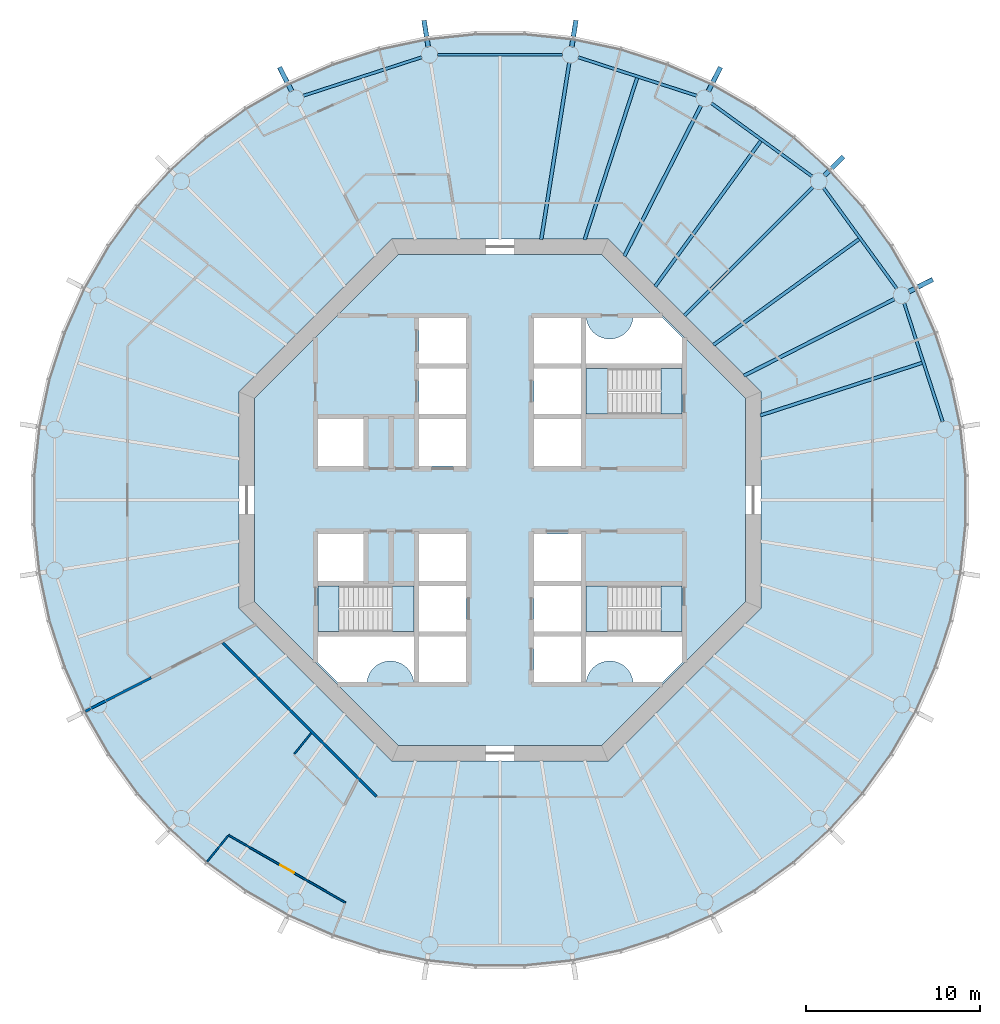
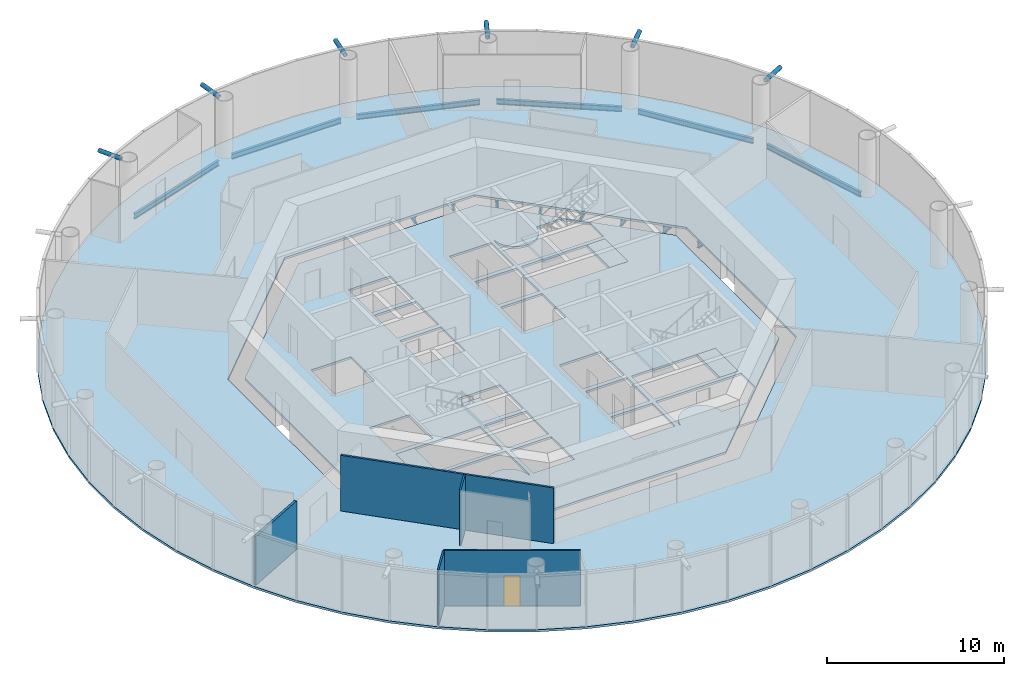
# One storey, part 2 of 12: 14 beams, 8 slabs, 6 members, 5 walls, 1 door, 1 opening, 3 elements without a shape of their own.
"""IFC4 building model written with IfcOpenShell, lengths in metres."""

from ifc_helpers import new_model, si_unit, direction, frame, frame_2d, origin, origin_2d, place, context, subcontext, project, spatial, polyline, rectangle, circle, hollow_circle, i_section, outline, extrude, material, layer, layer_set, material_profile, profile_set, type_object, element, fill, aggregate, save


model = new_model("IFC4")

# Units and contexts
model_context = context("Model", 3, precision=1e-05, world=origin(), true_north=direction((0.0, 1.0)))
body_context = subcontext(model_context, "Body", "Model", "MODEL_VIEW")
ifc_project = project(units=[si_unit("LENGTHUNIT", "METRE"), si_unit("AREAUNIT", "SQUARE_METRE"), si_unit("VOLUMEUNIT", "CUBIC_METRE"), si_unit("PLANEANGLEUNIT", "RADIAN"), si_unit("MASSUNIT", "GRAM", prefix="KILO")], contexts=[model_context])

# Site, building, storey
site_placement = place(None, origin())
site = spatial("IfcSite", under=ifc_project, at=site_placement, CompositionType="ELEMENT")
building_placement = place(site_placement, origin())
building = spatial("IfcBuilding", under=site, at=building_placement, Name="Entoto Ring Tower", CompositionType="ELEMENT")
storey_placement = place(building_placement, frame((0.0, 0.0, 214.0)))
storey = spatial("IfcBuildingStorey", under=building, at=storey_placement, Name="L49", CompositionType="ELEMENT", Elevation=214.0)

# Members
ifc_material_1 = material(Name="Steel S355", Category="steel")
ifc_material_profile_1 = material_profile(ifc_material_1, hollow_circle(Radius=0.136474609375, WallThickness=0.012451171875, at=origin_2d()), Name="CHS 273 x 12.5")
ifc_material_2 = material(Name="Concrete C60/75", Category="concrete")
ifc_material_profile_2 = material_profile(ifc_material_2, circle(Radius=0.1240234375, at=origin_2d()), Name="Concrete C60/75 infill")
ifc_profile_set_1 = profile_set([ifc_material_profile_1, ifc_material_profile_2], Name="Steel S355")
member_type = type_object("IfcMemberType", Name="Diagrid node strut 273 x 12.5", PredefinedType="STRUT", material=ifc_profile_set_1)
member_1_placement = place(storey_placement, frame((113.48779296875, 91.967529296875, 3.71337890625), z_axis=(0.891006809714, 0.453989939363, 0.0), x_axis=(-0.453989939363, 0.891006809714, 0.0)))
element("IfcMember", 1, at=member_1_placement, inside=storey, type_object=member_type, Name="DS2 strut ring 15 01", PredefinedType="STRUT", context=body_context, shape_type="SweptSolid", body=[
    extrude(hollow_circle(Radius=0.136474609375, WallThickness=0.012451171875, at=origin_2d()), origin(), (0.0, 0.0, 1.0), 1.5390625),
])
member_2_placement = place(storey_placement, frame((108.639892578125, 98.639892578125, 3.71337890625), z_axis=(0.707106781187, 0.707106781187, 0.0), x_axis=(-0.707106781187, 0.707106781187, 0.0)))
element("IfcMember", 2, at=member_2_placement, inside=storey, type_object=member_type, Name="DS2 strut ring 15 02", PredefinedType="STRUT", context=body_context, shape_type="SweptSolid", body=[
    extrude(hollow_circle(Radius=0.136474609375, WallThickness=0.012451171875, at=origin_2d()), origin(), (0.0, 0.0, 1.0), 1.539306640625),
])
for number, where, z_axis, x_axis, name in (
    (3, (101.967529296875, 103.48779296875, 3.71337890625), (0.453989939363, 0.891006809714, 0.0), (-0.891006809714, 0.453989939363, 0.0), "DS2 strut ring 15 03"),
    (4, (94.123779296875, 106.036376953125, 3.71337890625), (0.156418753192, 0.987690828979, 0.0), (-0.987690828979, 0.156418753192, 0.0), "DS2 strut ring 15 04"),
    (5, (85.876220703125, 106.036376953125, 3.71337890625), (-0.156418753192, 0.987690828979, 0.0), (-0.987690828979, -0.156418753192, 0.0), "DS2 strut ring 15 05"),
    (6, (78.032470703125, 103.48779296875, 3.71337890625), (-0.453989939363, 0.891006809714, 0.0), (-0.891006809714, -0.453989939363, 0.0), "DS2 strut ring 15 06"),
):
    element("IfcMember", number, at=place(storey_placement, frame(where, z_axis=z_axis, x_axis=x_axis)), inside=storey, type_object=member_type, Name=name, PredefinedType="STRUT", context=body_context, shape_type="SweptSolid", body=[
        extrude(hollow_circle(Radius=0.136474609375, WallThickness=0.012451171875, at=origin_2d()), origin(), (0.0, 0.0, 1.0), 1.5390625),
    ])

# Beams
ifc_material_3 = material(Name="Steel S355", Category="steel")
ifc_material_profile_3 = material_profile(ifc_material_3, i_section(OverallWidth=0.169921875, OverallDepth=0.360107421875, WebThickness=0.008056640625, FlangeThickness=0.0126953125, FilletRadius=0.01806640625, at=origin_2d()), Name="IPE 360")
ifc_profile_set_2 = profile_set([ifc_material_profile_3], Name="Steel S355")
beam_type_1 = type_object("IfcBeamType", Name="Edge beam IPE 360", PredefinedType="SPANDREL", material=ifc_profile_set_2)
beam_1_placement = place(storey_placement, frame((115.43505859375, 84.501220703125, -0.330078125), z_axis=(-0.309015118354, 0.951057125849, 0.0), x_axis=(-0.951057125849, -0.309015118354, 0.0)))
element("IfcBeam", 7, at=beam_1_placement, inside=storey, type_object=beam_type_1, Name="Edge beam L49 01", PredefinedType="SPANDREL", context=body_context, shape_type="SweptSolid", body=[
    extrude(i_section(OverallWidth=0.169921875, OverallDepth=0.360107421875, WebThickness=0.008056640625, FlangeThickness=0.0126953125, FilletRadius=0.01806640625, at=origin_2d()), origin(), (0.0, 0.0, 1.0), 7.157958984375),
])
for number, where, z_axis, x_axis, name in (
    (8, (112.79931640625, 92.140625, -0.330078125), (-0.587794432314, 0.809010324619, 0.0), (-0.809010324619, -0.587794432314, 0.0), "Edge beam L49 02"),
    (9, (107.931640625, 98.591796875, -0.330078125), (-0.809010324619, 0.587794432314, 0.0), (-0.587794432314, -0.809010324619, 0.0), "Edge beam L49 03"),
):
    element("IfcBeam", number, at=place(storey_placement, frame(where, z_axis=z_axis, x_axis=x_axis)), inside=storey, type_object=beam_type_1, Name=name, PredefinedType="SPANDREL", context=body_context, shape_type="SweptSolid", body=[
        extrude(i_section(OverallWidth=0.169921875, OverallDepth=0.360107421875, WebThickness=0.008056640625, FlangeThickness=0.0126953125, FilletRadius=0.01806640625, at=origin_2d()), origin(), (0.0, 0.0, 1.0), 7.158203125),
    ])
beam_2_placement = place(storey_placement, frame((101.308837890625, 103.22314453125, -0.330078125), z_axis=(-0.951057125849, 0.309015118354, 0.0), x_axis=(-0.309015118354, -0.951057125849, 0.0)))
element("IfcBeam", 10, at=beam_2_placement, inside=storey, type_object=beam_type_1, Name="Edge beam L49 04", PredefinedType="SPANDREL", context=body_context, shape_type="SweptSolid", body=[
    extrude(i_section(OverallWidth=0.169921875, OverallDepth=0.360107421875, WebThickness=0.008056640625, FlangeThickness=0.0126953125, FilletRadius=0.01806640625, at=origin_2d()), origin(), (0.0, 0.0, 1.0), 7.157958984375),
])
beam_3_placement = place(storey_placement, frame((93.5791015625, 105.5810546875, -0.330078125), z_axis=(-1.0, 0.0, 0.0), x_axis=(0.0, -1.0, 0.0)))
element("IfcBeam", 11, at=beam_3_placement, inside=storey, type_object=beam_type_1, Name="Edge beam L49 05", PredefinedType="SPANDREL", context=body_context, shape_type="SweptSolid", body=[
    extrude(i_section(OverallWidth=0.169921875, OverallDepth=0.360107421875, WebThickness=0.008056640625, FlangeThickness=0.0126953125, FilletRadius=0.01806640625, at=origin_2d()), origin(), (0.0, 0.0, 1.0), 7.158203125),
])
beam_4_placement = place(storey_placement, frame((85.498779296875, 105.43505859375, -0.330078125), z_axis=(-0.951057125849, -0.309015118354, 0.0), x_axis=(0.309015118354, -0.951057125849, 0.0)))
element("IfcBeam", 12, at=beam_4_placement, inside=storey, type_object=beam_type_1, Name="Edge beam L49 06", PredefinedType="SPANDREL", context=body_context, shape_type="SweptSolid", body=[
    extrude(i_section(OverallWidth=0.169921875, OverallDepth=0.360107421875, WebThickness=0.008056640625, FlangeThickness=0.0126953125, FilletRadius=0.01806640625, at=origin_2d()), origin(), (0.0, 0.0, 1.0), 7.157958984375),
])
ifc_material_4 = material(Name="Steel S355", Category="steel")
ifc_material_profile_4 = material_profile(ifc_material_4, i_section(OverallWidth=0.199951171875, OverallDepth=0.5, WebThickness=0.01025390625, FlangeThickness=0.01611328125, FilletRadius=0.02099609375, at=origin_2d()), Name="IPE 500")
ifc_profile_set_3 = profile_set([ifc_material_profile_4], Name="Steel S355")
beam_type_2 = type_object("IfcBeamType", Name="Primary floor beam IPE 500", PredefinedType="BEAM", material=ifc_profile_set_3)
beam_5_placement = place(storey_placement, frame((104.006103515625, 87.136474609375, -0.39990234375), z_axis=(0.891012442297, 0.45397888461, 0.0), x_axis=(-0.45397888461, 0.891012442297, 0.0)))
element("IfcBeam", 13, at=beam_5_placement, inside=storey, type_object=beam_type_2, Name="Primary L49 R02", PredefinedType="BEAM", context=body_context, shape_type="SweptSolid", body=[
    extrude(i_section(OverallWidth=0.199951171875, OverallDepth=0.5, WebThickness=0.01025390625, FlangeThickness=0.01611328125, FilletRadius=0.02099609375, at=origin_2d()), origin(), (0.0, 0.0, 1.0), 9.710693359375),
])
beam_6_placement = place(storey_placement, frame((100.592529296875, 90.592529296875, -0.39990234375), z_axis=(0.707106781187, 0.707106781187, 0.0), x_axis=(-0.707106781187, 0.707106781187, 0.0)))
element("IfcBeam", 14, at=beam_6_placement, inside=storey, type_object=beam_type_2, Name="Primary L49 R03", PredefinedType="BEAM", context=body_context, shape_type="SweptSolid", body=[
    extrude(i_section(OverallWidth=0.199951171875, OverallDepth=0.5, WebThickness=0.01025390625, FlangeThickness=0.01611328125, FilletRadius=0.02099609375, at=origin_2d()), origin(), (0.0, 0.0, 1.0), 10.4501953125),
])
beam_7_placement = place(storey_placement, frame((97.136474609375, 94.006103515625, -0.39990234375), z_axis=(0.45397888461, 0.891012442297, 0.0), x_axis=(-0.891012442297, 0.45397888461, 0.0)))
element("IfcBeam", 15, at=beam_7_placement, inside=storey, type_object=beam_type_2, Name="Primary L49 R04", PredefinedType="BEAM", context=body_context, shape_type="SweptSolid", body=[
    extrude(i_section(OverallWidth=0.199951171875, OverallDepth=0.5, WebThickness=0.01025390625, FlangeThickness=0.01611328125, FilletRadius=0.02099609375, at=origin_2d()), origin(), (0.0, 0.0, 1.0), 9.710693359375),
])
beam_8_placement = place(storey_placement, frame((92.3701171875, 94.964599609375, -0.39990234375), z_axis=(0.156451644281, 0.987685619518, 0.0), x_axis=(-0.987685619518, 0.156451644281, 0.0)))
element("IfcBeam", 16, at=beam_8_placement, inside=storey, type_object=beam_type_2, Name="Primary L49 R05", PredefinedType="BEAM", context=body_context, shape_type="SweptSolid", body=[
    extrude(i_section(OverallWidth=0.199951171875, OverallDepth=0.5, WebThickness=0.01025390625, FlangeThickness=0.01611328125, FilletRadius=0.02099609375, at=origin_2d()), origin(), (0.0, 0.0, 1.0), 10.27880859375),
])
ifc_material_5 = material(Name="Steel S355", Category="steel")
ifc_material_profile_5 = material_profile(ifc_material_5, i_section(OverallWidth=0.18994140625, OverallDepth=0.449951171875, WebThickness=0.009521484375, FlangeThickness=0.0146484375, FilletRadius=0.02099609375, at=origin_2d()), Name="IPE 450")
ifc_profile_set_4 = profile_set([ifc_material_profile_5], Name="Steel S355")
beam_type_3 = type_object("IfcBeamType", Name="Secondary floor beam IPE 450", PredefinedType="JOIST", material=ifc_profile_set_4)
beam_9_placement = place(storey_placement, frame((104.95166015625, 84.858154296875, -0.375), z_axis=(0.951061045963, 0.309003053144, 0.0), x_axis=(-0.309003053144, 0.951061045963, 0.0)))
element("IfcBeam", 17, at=beam_9_placement, inside=storey, type_object=beam_type_3, Name="Secondary beam L49 01", PredefinedType="JOIST", context=body_context, shape_type="SweptSolid", body=[
    extrude(i_section(OverallWidth=0.18994140625, OverallDepth=0.449951171875, WebThickness=0.009521484375, FlangeThickness=0.0146484375, FilletRadius=0.02099609375, at=origin_2d()), origin(), (0.0, 0.0, 1.0), 9.77490234375),
])
for number, where, z_axis, x_axis, name in (
    (18, (102.258056640625, 88.906005859375, -0.375), (0.809010538485, 0.58779413796, 0.0), (-0.58779413796, 0.809010538485, 0.0), "Secondary beam L49 02"),
    (19, (98.906005859375, 92.258056640625, -0.375), (0.58779413796, 0.809010538485, 0.0), (-0.809010538485, 0.58779413796, 0.0), "Secondary beam L49 03"),
):
    element("IfcBeam", number, at=place(storey_placement, frame(where, z_axis=z_axis, x_axis=x_axis)), inside=storey, type_object=beam_type_3, Name=name, PredefinedType="JOIST", context=body_context, shape_type="SweptSolid", body=[
        extrude(i_section(OverallWidth=0.18994140625, OverallDepth=0.449951171875, WebThickness=0.009521484375, FlangeThickness=0.0146484375, FilletRadius=0.02099609375, at=origin_2d()), origin(), (0.0, 0.0, 1.0), 10.34423828125),
    ])
beam_10_placement = place(storey_placement, frame((94.858154296875, 94.95166015625, -0.375), z_axis=(0.309003053144, 0.951061045963, 0.0), x_axis=(-0.951061045963, 0.309003053144, 0.0)))
element("IfcBeam", 20, at=beam_10_placement, inside=storey, type_object=beam_type_3, Name="Secondary beam L49 04", PredefinedType="JOIST", context=body_context, shape_type="SweptSolid", body=[
    extrude(i_section(OverallWidth=0.18994140625, OverallDepth=0.449951171875, WebThickness=0.009521484375, FlangeThickness=0.0146484375, FilletRadius=0.02099609375, at=origin_2d()), origin(), (0.0, 0.0, 1.0), 9.77490234375),
])

# Slabs
ifc_material_6 = material(Name="Concrete C30/37", Category="concrete")
ifc_layer_1 = layer(ifc_material_6, 0.14990234375)
ifc_layer_set_1 = layer_set([ifc_layer_1], Name="Concrete C30/37")
slab_type_1 = type_object("IfcSlabType", Name="Composite floor slab 150 mm", PredefinedType="FLOOR", material=ifc_layer_set_1)
slab_1_placement = place(storey_placement, frame((0.0, 0.0, -0.14990234375)))
element("IfcSlab", 21, at=slab_1_placement, inside=storey, type_object=slab_type_1, Name="Floor slab L49", PredefinedType="FLOOR", context=body_context, shape_type="SweptSolid", body=[
    extrude(outline(polyline([(116.56884765625, 84.2080078125), (115.9833984375, 86.962158203125), (115.11328125, 89.64013671875), (113.968017578125, 92.21240234375), (112.560302734375, 94.65087890625), (110.9052734375, 96.9287109375), (109.021240234375, 99.021240234375), (106.9287109375, 100.9052734375), (104.65087890625, 102.560302734375), (102.21240234375, 103.968017578125), (99.64013671875, 105.11328125), (96.962158203125, 105.9833984375), (94.2080078125, 106.56884765625), (91.407958984375, 106.863037109375), (88.592041015625, 106.863037109375), (85.7919921875, 106.56884765625), (83.037841796875, 105.9833984375), (80.35986328125, 105.11328125), (77.78759765625, 103.968017578125), (75.34912109375, 102.560302734375), (73.0712890625, 100.9052734375), (70.978759765625, 99.021240234375), (69.0947265625, 96.9287109375), (67.439697265625, 94.65087890625), (66.031982421875, 92.21240234375), (64.88671875, 89.64013671875), (64.0166015625, 86.962158203125), (63.43115234375, 84.2080078125), (63.136962890625, 81.407958984375), (63.136962890625, 78.592041015625), (63.43115234375, 75.7919921875), (64.0166015625, 73.037841796875), (64.88671875, 70.35986328125), (66.031982421875, 67.78759765625), (67.439697265625, 65.34912109375), (69.0947265625, 63.0712890625), (70.978759765625, 60.978759765625), (73.0712890625, 59.0947265625), (75.34912109375, 57.439697265625), (77.78759765625, 56.031982421875), (80.35986328125, 54.88671875), (83.037841796875, 54.0166015625), (85.7919921875, 53.43115234375), (88.592041015625, 53.136962890625), (91.407958984375, 53.136962890625), (94.2080078125, 53.43115234375), (96.962158203125, 54.0166015625), (99.64013671875, 54.88671875), (102.21240234375, 56.031982421875), (104.65087890625, 57.439697265625), (106.9287109375, 59.0947265625), (109.021240234375, 60.978759765625), (110.9052734375, 63.0712890625), (112.560302734375, 65.34912109375), (113.968017578125, 67.78759765625), (115.11328125, 70.35986328125), (115.9833984375, 73.037841796875), (116.56884765625, 75.7919921875), (116.863037109375, 78.592041015625), (116.863037109375, 81.407958984375), (116.56884765625, 84.2080078125)]), holes=[polyline([(105.0, 73.786865234375), (105.0, 86.213134765625), (96.213134765625, 95.0), (83.786865234375, 95.0), (75.0, 86.213134765625), (75.0, 73.786865234375), (83.786865234375, 65.0), (96.213134765625, 65.0), (105.0, 73.786865234375)])]), origin(), (0.0, 0.0, 1.0), 0.14990234375),
])
ifc_material_7 = material(Name="Concrete C40/50", Category="concrete")
ifc_layer_2 = layer(ifc_material_7, 0.14990234375)
ifc_layer_set_2 = layer_set([ifc_layer_2], Name="Concrete C40/50")
slab_type_2 = type_object("IfcSlabType", Name="Core floor slab 150 mm reinforced concrete C40/50", PredefinedType="FLOOR", material=ifc_layer_set_2)
slab_2_placement = place(storey_placement, frame((0.0, 0.0, -0.14990234375)))
element("IfcSlab", 22, at=slab_2_placement, inside=storey, type_object=slab_type_2, Name="Core floor L49", PredefinedType="FLOOR", context=body_context, shape_type="SweptSolid", body=[
    extrude(outline(polyline([(104.10009765625, 74.15966796875), (104.10009765625, 85.84033203125), (95.84033203125, 94.10009765625), (84.15966796875, 94.10009765625), (75.89990234375, 85.84033203125), (75.89990234375, 74.15966796875), (84.15966796875, 65.89990234375), (95.84033203125, 65.89990234375), (104.10009765625, 74.15966796875)]), holes=[polyline([(100.449951171875, 84.949951171875), (100.449951171875, 87.550048828125), (94.949951171875, 87.550048828125), (94.949951171875, 84.949951171875), (100.449951171875, 84.949951171875)]), polyline([(85.050048828125, 72.449951171875), (85.050048828125, 75.050048828125), (79.550048828125, 75.050048828125), (79.550048828125, 72.449951171875), (85.050048828125, 72.449951171875)]), polyline([(100.449951171875, 72.449951171875), (100.449951171875, 75.050048828125), (94.949951171875, 75.050048828125), (94.949951171875, 72.449951171875), (100.449951171875, 72.449951171875)]), polyline([(91.949951171875, 84.949951171875), (94.64990234375, 84.949951171875), (94.64990234375, 87.550048828125), (91.949951171875, 87.550048828125), (91.949951171875, 84.949951171875)]), polyline([(91.949951171875, 72.449951171875), (94.64990234375, 72.449951171875), (94.64990234375, 75.050048828125), (91.949951171875, 75.050048828125), (91.949951171875, 72.449951171875)]), polyline([(91.949951171875, 69.550048828125), (94.64990234375, 69.550048828125), (94.64990234375, 72.14990234375), (91.949951171875, 72.14990234375), (91.949951171875, 69.550048828125)]), polyline([(85.35009765625, 72.449951171875), (88.050048828125, 72.449951171875), (88.050048828125, 75.050048828125), (85.35009765625, 75.050048828125), (85.35009765625, 72.449951171875)]), polyline([(85.35009765625, 81.949951171875), (88.050048828125, 81.949951171875), (88.050048828125, 84.64990234375), (85.35009765625, 84.64990234375), (85.35009765625, 81.949951171875)]), polyline([(91.949951171875, 75.35009765625), (94.64990234375, 75.35009765625), (94.64990234375, 78.050048828125), (91.949951171875, 78.050048828125), (91.949951171875, 75.35009765625)]), polyline([(79.550048828125, 81.949951171875), (82.14990234375, 81.949951171875), (82.14990234375, 84.64990234375), (79.550048828125, 84.64990234375), (79.550048828125, 81.949951171875)]), polyline([(79.550048828125, 75.35009765625), (82.14990234375, 75.35009765625), (82.14990234375, 78.050048828125), (79.550048828125, 78.050048828125), (79.550048828125, 75.35009765625)]), polyline([(91.949951171875, 87.85009765625), (94.64990234375, 87.85009765625), (94.64990234375, 90.449951171875), (91.949951171875, 90.449951171875), (91.949951171875, 87.85009765625)]), polyline([(85.35009765625, 69.550048828125), (88.050048828125, 69.550048828125), (88.050048828125, 72.14990234375), (85.35009765625, 72.14990234375), (85.35009765625, 69.550048828125)]), polyline([(91.949951171875, 81.949951171875), (94.64990234375, 81.949951171875), (94.64990234375, 84.64990234375), (91.949951171875, 84.64990234375), (91.949951171875, 81.949951171875)]), polyline([(85.35009765625, 75.35009765625), (88.050048828125, 75.35009765625), (88.050048828125, 78.050048828125), (85.35009765625, 78.050048828125), (85.35009765625, 75.35009765625)]), polyline([(85.35009765625, 84.949951171875), (88.050048828125, 84.949951171875), (88.050048828125, 87.550048828125), (85.35009765625, 87.550048828125), (85.35009765625, 84.949951171875)]), polyline([(85.35009765625, 87.85009765625), (88.050048828125, 87.85009765625), (88.050048828125, 90.449951171875), (85.35009765625, 90.449951171875), (85.35009765625, 87.85009765625)]), polyline([(94.89990234375, 90.5), (94.89990234375, 87.800048828125), (100.5, 87.800048828125), (100.5, 89.299072265625), (99.299072265625, 90.5), (97.64501953125, 90.5), (97.6435546875, 90.4677734375), (97.6240234375, 90.336669921875), (97.591796875, 90.2080078125), (97.547119140625, 90.08349609375), (97.490478515625, 89.963623046875), (97.422607421875, 89.85009765625), (97.343505859375, 89.74365234375), (97.254638671875, 89.6455078125), (97.156494140625, 89.556396484375), (97.050048828125, 89.4775390625), (96.936279296875, 89.409423828125), (96.816650390625, 89.352783203125), (96.69189453125, 89.30810546875), (96.5634765625, 89.27587890625), (96.432373046875, 89.256591796875), (96.300048828125, 89.25), (96.167724609375, 89.256591796875), (96.03662109375, 89.27587890625), (95.908203125, 89.30810546875), (95.783447265625, 89.352783203125), (95.66357421875, 89.409423828125), (95.550048828125, 89.4775390625), (95.443603515625, 89.556396484375), (95.345458984375, 89.6455078125), (95.25634765625, 89.74365234375), (95.177490234375, 89.85009765625), (95.109375, 89.963623046875), (95.052734375, 90.08349609375), (95.008056640625, 90.2080078125), (94.975830078125, 90.336669921875), (94.95654296875, 90.4677734375), (94.954833984375, 90.5), (94.89990234375, 90.5)]), polyline([(79.5, 70.700927734375), (80.700927734375, 69.5), (82.35498046875, 69.5), (82.3564453125, 69.5322265625), (82.3759765625, 69.663330078125), (82.408203125, 69.7919921875), (82.452880859375, 69.91650390625), (82.509521484375, 70.036376953125), (82.577392578125, 70.14990234375), (82.656494140625, 70.25634765625), (82.745361328125, 70.3544921875), (82.843505859375, 70.443603515625), (82.949951171875, 70.5224609375), (83.063720703125, 70.590576171875), (83.183349609375, 70.647216796875), (83.30810546875, 70.69189453125), (83.4365234375, 70.72412109375), (83.567626953125, 70.743408203125), (83.699951171875, 70.75), (83.832275390625, 70.743408203125), (83.96337890625, 70.72412109375), (84.091796875, 70.69189453125), (84.216552734375, 70.647216796875), (84.33642578125, 70.590576171875), (84.449951171875, 70.5224609375), (84.556396484375, 70.443603515625), (84.654541015625, 70.3544921875), (84.74365234375, 70.25634765625), (84.822509765625, 70.14990234375), (84.890625, 70.036376953125), (84.947265625, 69.91650390625), (84.991943359375, 69.7919921875), (85.024169921875, 69.663330078125), (85.04345703125, 69.5322265625), (85.045166015625, 69.5), (85.10009765625, 69.5), (85.10009765625, 72.199951171875), (79.5, 72.199951171875), (79.5, 70.700927734375)]), polyline([(97.64501953125, 69.5), (99.299072265625, 69.5), (100.5, 70.700927734375), (100.5, 72.199951171875), (94.89990234375, 72.199951171875), (94.89990234375, 69.5), (94.954833984375, 69.5), (94.95654296875, 69.5322265625), (94.975830078125, 69.663330078125), (95.008056640625, 69.7919921875), (95.052734375, 69.91650390625), (95.109375, 70.036376953125), (95.177490234375, 70.14990234375), (95.25634765625, 70.25634765625), (95.345458984375, 70.3544921875), (95.443603515625, 70.443603515625), (95.550048828125, 70.5224609375), (95.66357421875, 70.590576171875), (95.783447265625, 70.647216796875), (95.908203125, 70.69189453125), (96.03662109375, 70.72412109375), (96.167724609375, 70.743408203125), (96.300048828125, 70.75), (96.432373046875, 70.743408203125), (96.5634765625, 70.72412109375), (96.69189453125, 70.69189453125), (96.816650390625, 70.647216796875), (96.936279296875, 70.590576171875), (97.050048828125, 70.5224609375), (97.156494140625, 70.443603515625), (97.254638671875, 70.3544921875), (97.343505859375, 70.25634765625), (97.422607421875, 70.14990234375), (97.490478515625, 70.036376953125), (97.547119140625, 69.91650390625), (97.591796875, 69.7919921875), (97.6240234375, 69.663330078125), (97.6435546875, 69.5322265625), (97.64501953125, 69.5)])]), origin(), (0.0, 0.0, 1.0), 0.14990234375),
])

# Stair, slabs
ifc_material_8 = material(Name="Concrete C40/50", Category="concrete")
stair_type = type_object("IfcStairType", Name="Exit stair 1200 mm dog-leg reinforced concrete", PredefinedType="HALF_TURN_STAIR", material=ifc_material_8)
stair_1_placement = place(storey_placement, origin())
stair_1 = element("IfcStair", 23, at=stair_1_placement, inside=storey, type_object=stair_type, Name="Exit stair 1", PredefinedType="HALF_TURN_STAIR")
ifc_material_9 = material(Name="Concrete C40/50", Category="concrete")
ifc_layer_3 = layer(ifc_material_9, 0.199951171875)
ifc_layer_set_3 = layer_set([ifc_layer_3], Name="Concrete C40/50")
slab_type_3 = type_object("IfcSlabType", Name="Stair landing 200 mm reinforced concrete", PredefinedType="LANDING", material=ifc_layer_set_3)
slab_3_placement = place(storey_placement, frame((0.0, 0.0, -0.199951171875)))
slab_3 = element("IfcSlab", 24, at=slab_3_placement, type_object=slab_type_3, Name="ST1 landing 1", PredefinedType="LANDING", context=body_context, shape_type="SweptSolid", body=[
    extrude(outline(polyline([(100.449951171875, 84.949951171875), (100.449951171875, 87.550048828125), (99.25, 87.550048828125), (99.25, 84.949951171875), (100.449951171875, 84.949951171875)])), origin(), (0.0, 0.0, 1.0), 0.199951171875),
])
slab_4_placement = place(storey_placement, frame((0.0, 0.0, 1.800048828125)))
slab_4 = element("IfcSlab", 25, at=slab_4_placement, type_object=slab_type_3, Name="ST1 landing 2", PredefinedType="LANDING", context=body_context, shape_type="SweptSolid", body=[
    extrude(outline(polyline([(94.949951171875, 84.949951171875), (96.169921875, 84.949951171875), (96.169921875, 87.550048828125), (94.949951171875, 87.550048828125), (94.949951171875, 84.949951171875)])), origin(), (0.0, 0.0, 1.0), 0.199951171875),
])
aggregate(stair_1, [slab_3, slab_4])

stair_2_placement = place(storey_placement, origin())
stair_2 = element("IfcStair", 26, at=stair_2_placement, inside=storey, type_object=stair_type, Name="Exit stair 2", PredefinedType="HALF_TURN_STAIR")
slab_5_placement = place(storey_placement, frame((0.0, 0.0, -0.199951171875)))
slab_5 = element("IfcSlab", 27, at=slab_5_placement, type_object=slab_type_3, Name="ST2 landing 1", PredefinedType="LANDING", context=body_context, shape_type="SweptSolid", body=[
    extrude(outline(polyline([(80.75, 72.449951171875), (80.75, 75.050048828125), (79.550048828125, 75.050048828125), (79.550048828125, 72.449951171875), (80.75, 72.449951171875)])), origin(), (0.0, 0.0, 1.0), 0.199951171875),
])
slab_6_placement = place(storey_placement, frame((0.0, 0.0, 1.800048828125)))
slab_6 = element("IfcSlab", 28, at=slab_6_placement, type_object=slab_type_3, Name="ST2 landing 2", PredefinedType="LANDING", context=body_context, shape_type="SweptSolid", body=[
    extrude(outline(polyline([(83.830078125, 72.449951171875), (85.050048828125, 72.449951171875), (85.050048828125, 75.050048828125), (83.830078125, 75.050048828125), (83.830078125, 72.449951171875)])), origin(), (0.0, 0.0, 1.0), 0.199951171875),
])
aggregate(stair_2, [slab_5, slab_6])

stair_3_placement = place(storey_placement, origin())
stair_3 = element("IfcStair", 29, at=stair_3_placement, inside=storey, type_object=stair_type, Name="Exit stair 3", PredefinedType="HALF_TURN_STAIR")
slab_7_placement = place(storey_placement, frame((0.0, 0.0, -0.199951171875)))
slab_7 = element("IfcSlab", 30, at=slab_7_placement, type_object=slab_type_3, Name="ST3 landing 1", PredefinedType="LANDING", context=body_context, shape_type="SweptSolid", body=[
    extrude(outline(polyline([(100.449951171875, 72.449951171875), (100.449951171875, 75.050048828125), (99.25, 75.050048828125), (99.25, 72.449951171875), (100.449951171875, 72.449951171875)])), origin(), (0.0, 0.0, 1.0), 0.199951171875),
])
slab_8_placement = place(storey_placement, frame((0.0, 0.0, 1.800048828125)))
slab_8 = element("IfcSlab", 31, at=slab_8_placement, type_object=slab_type_3, Name="ST3 landing 2", PredefinedType="LANDING", context=body_context, shape_type="SweptSolid", body=[
    extrude(outline(polyline([(94.949951171875, 72.449951171875), (96.169921875, 72.449951171875), (96.169921875, 75.050048828125), (94.949951171875, 75.050048828125), (94.949951171875, 72.449951171875)])), origin(), (0.0, 0.0, 1.0), 0.199951171875),
])
aggregate(stair_3, [slab_7, slab_8])

# Wall
ifc_material_10 = material(Name="Fire-resisting plasterboard on steel studs", Category="steel")
ifc_layer_4 = layer(ifc_material_10, 0.125)
ifc_layer_set_4 = layer_set([ifc_layer_4], Name="Fire-resisting plasterboard on steel studs")
wall_type_1 = type_object("IfcWallType", Name="Corridor wall 125 mm one-hour plasterboard on steel studs", PredefinedType="PARTITIONING", material=ifc_layer_set_4)
wall_1_placement = place(storey_placement, frame((82.9013671875, 62.968505859375, 0.0), z_axis=(0.0, 0.0, 1.0), x_axis=(-0.707106781187, 0.707106781187, 0.0)))
element("IfcWall", 32, at=wall_1_placement, inside=storey, type_object=wall_type_1, Name="partition-L49-006", PredefinedType="PARTITIONING", context=body_context, shape_type="SweptSolid", body=[
    extrude(rectangle(XDim=12.481689453125, YDim=0.125, at=frame_2d((6.24072265625, 0.0))), origin(), (0.0, 0.0, 1.0), 3.85009765625),
])

# Wall, opening, door
ifc_material_11 = material(Name="Plasterboard on steel studs", Category="steel")
ifc_layer_5 = layer(ifc_material_11, 0.10009765625)
ifc_layer_set_5 = layer_set([ifc_layer_5], Name="Plasterboard on steel studs")
wall_type_2 = type_object("IfcWallType", Name="Partition 100 mm plasterboard on steel studs", PredefinedType="PARTITIONING", material=ifc_layer_set_5)
wall_2_placement = place(storey_placement, frame((81.11962890625, 56.865966796875, 0.0), z_axis=(0.0, 0.0, 1.0), x_axis=(-0.866035081828, 0.499983236762, 0.0)))
wall_2 = element("IfcWall", 33, at=wall_2_placement, inside=storey, type_object=wall_type_2, Name="partition-L49-023", PredefinedType="PARTITIONING", context=body_context, shape_type="SweptSolid", body=[
    extrude(rectangle(XDim=7.752685546875, YDim=0.10009765625, at=frame_2d((3.87646484375, 0.0))), origin(), (0.0, 0.0, 1.0), 3.85009765625),
])
opening_placement = place(wall_2_placement, frame((3.426513671875, 0.0, 0.0)))
opening = element("IfcOpeningElement", 34, at=opening_placement, cuts=wall_2, Name="Opening A21-D12", PredefinedType="OPENING", context=body_context, shape_type="SweptSolid", body=[
    extrude(rectangle(XDim=0.89990234375, YDim=2.10009765625, at=frame_2d((0.449951171875, 1.050048828125))), frame((0.0, 0.06005859375, 0.0), z_axis=(0.0, -1.0, 0.0), x_axis=(1.0, 0.0, 0.0)), (0.0, 0.0, 1.0), 0.1201171875),
])
ifc_material_12 = material(Name="Veneered timber door leaf in timber frame", Category="wood")
door_type = type_object("IfcDoorType", Name="Door 900 x 2100 single leaf timber veneer", OperationType="NOTDEFINED", PredefinedType="DOOR", material=ifc_material_12)
door_placement = place(opening_placement, origin())
door = element("IfcDoor", 35, at=door_placement, inside=storey, type_object=door_type, Name="Door A21-D12", OperationType="SINGLE_SWING_RIGHT", OverallHeight=2.10009765625, OverallWidth=0.89990234375, PredefinedType="DOOR", context=body_context, shape_type="SweptSolid", body=[
    extrude(rectangle(XDim=0.89990234375, YDim=2.10009765625, at=frame_2d((0.449951171875, 1.050048828125))), frame((0.0, 0.02490234375, 0.0), z_axis=(0.0, -1.0, 0.0), x_axis=(1.0, 0.0, 0.0)), (0.0, 0.0, 1.0), 0.050048828125),
])
fill(opening, door)

# Walls
wall_3_placement = place(storey_placement, frame((73.172119140625, 59.218994140625, 0.0), z_axis=(0.0, 0.0, 1.0), x_axis=(0.629249683907, 0.777203213646, 0.0)))
element("IfcWall", 36, at=wall_3_placement, inside=storey, type_object=wall_type_2, Name="partition-L49-031", PredefinedType="PARTITIONING", context=body_context, shape_type="SweptSolid", body=[
    extrude(rectangle(XDim=1.910888671875, YDim=0.10009765625, at=frame_2d((0.95556640625, 0.0))), origin(), (0.0, 0.0, 1.0), 3.85009765625),
])
wall_4_placement = place(storey_placement, frame((78.183837890625, 65.408203125, 0.0), z_axis=(0.0, 0.0, 1.0), x_axis=(0.629270653269, 0.777186235683, 0.0)))
element("IfcWall", 37, at=wall_4_placement, inside=storey, type_object=wall_type_2, Name="partition-L49-037", PredefinedType="PARTITIONING", context=body_context, shape_type="SweptSolid", body=[
    extrude(rectangle(XDim=1.551513671875, YDim=0.10009765625, at=frame_2d((0.77587890625, 0.0))), origin(), (0.0, 0.0, 1.0), 3.85009765625),
])
ifc_material_13 = material(Name="Fire-resisting acoustic plasterboard on steel studs", Category="steel")
ifc_layer_6 = layer(ifc_material_13, 0.14990234375)
ifc_layer_set_6 = layer_set([ifc_layer_6], Name="Fire-resisting acoustic plasterboard on steel studs")
wall_type_3 = type_object("IfcWallType", Name="Party wall 150 mm one-hour acoustic plasterboard on steel studs, 3350 mm high", PredefinedType="PARTITIONING", material=ifc_layer_set_6)
wall_5_placement = place(storey_placement, frame((66.174560546875, 67.8603515625, 0.0), z_axis=(0.0, 0.0, 1.0), x_axis=(0.891003010106, 0.453997396448, 0.0)))
element("IfcWall", 38, at=wall_5_placement, inside=storey, type_object=wall_type_3, Name="partition-L49-020", PredefinedType="PARTITIONING", context=body_context, shape_type="SweptSolid", body=[
    extrude(rectangle(XDim=4.238525390625, YDim=0.14990234375, at=frame_2d((2.119140625, 0.0))), origin(), (0.0, 0.0, 1.0), 3.35009765625),
])

save(model, "model.ifc")
